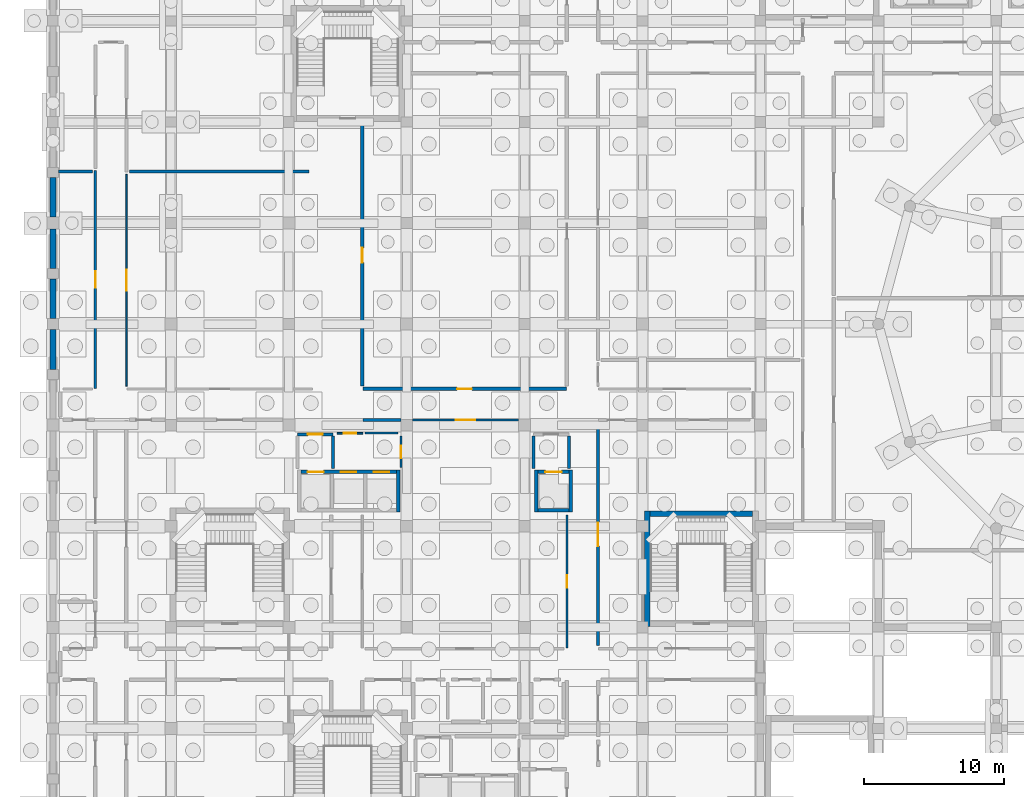
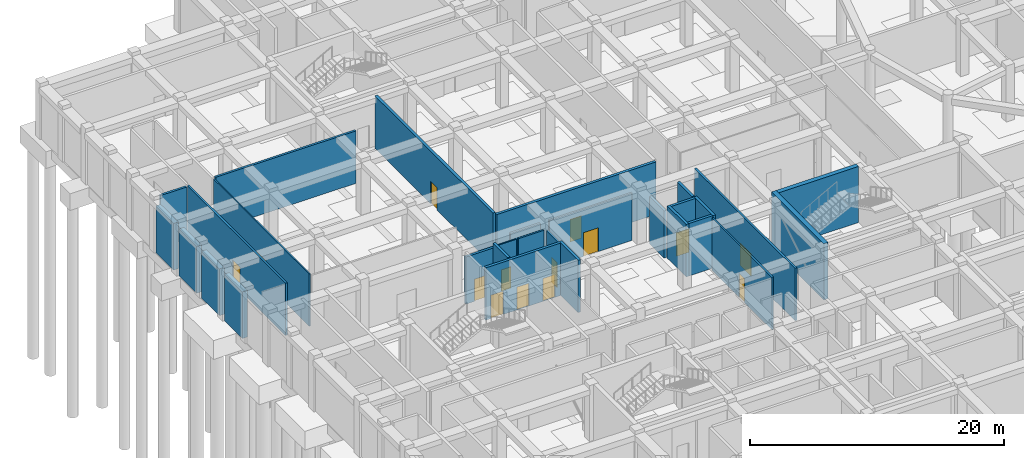
# One storey, part 18 of 32: 29 walls, 14 doors, 14 openings.
"""IFC4 building model written with IfcOpenShell, lengths in metres."""

from ifc_helpers import new_model, si_unit, derived_unit, direction, frame, frame_2d, origin, place, context, subcontext, project, spatial, rectangle, extrude, material, layer, layer_set, type_object, element, fill, save


model = new_model("IFC4")

# Units and contexts
model_context = context("Model", 3, precision=1e-05, world=origin(), true_north=direction((0.0, 1.0)))
body_context = subcontext(model_context, "Body", "Model", "MODEL_VIEW")
ifc_project = project(units=[si_unit("LENGTHUNIT", "METRE"), si_unit("AREAUNIT", "SQUARE_METRE"), si_unit("VOLUMEUNIT", "CUBIC_METRE"), si_unit("PLANEANGLEUNIT", "RADIAN"), si_unit("MASSUNIT", "GRAM", prefix="KILO"), derived_unit("THERMALTRANSMITTANCEUNIT", [(si_unit("POWERUNIT", "WATT"), 1), (si_unit("LENGTHUNIT", "METRE"), -2), (si_unit("THERMODYNAMICTEMPERATUREUNIT", "KELVIN"), -1)])], contexts=[model_context])

# Site, building, storey
site_placement = place(None, origin())
site = spatial("IfcSite", under=ifc_project, at=site_placement, CompositionType="ELEMENT")
building_placement = place(site_placement, origin())
building = spatial("IfcBuilding", under=site, at=building_placement, Name="Veybourne Emporium", CompositionType="ELEMENT")
storey_placement = place(building_placement, frame((0.0, 0.0, -5.39990234375)))
storey = spatial("IfcBuildingStorey", under=building, at=storey_placement, Name="B1", CompositionType="ELEMENT", Elevation=-5.39990234375)

# Walls
ifc_material_1 = material(Name="Concrete C40/50", Category="concrete")
ifc_layer_1 = layer(ifc_material_1, 0.449951171875)
ifc_layer_set_1 = layer_set([ifc_layer_1], Name="Concrete C40/50")
wall_type_1 = type_object("IfcWallType", Name="ExtWall_RW-01", PredefinedType="USERDEFINED", material=ifc_layer_set_1)
wall_1_placement = place(storey_placement, frame((0.0, 47.169921875, 0.0), z_axis=(0.0, 0.0, 1.0), x_axis=(0.0, 1.0, 0.0)))
element("IfcWall", 1, at=wall_1_placement, inside=storey, type_object=wall_type_1, Name="Basement perimeter retaining wall 006B", ObjectType="RETAININGWALL", PredefinedType="USERDEFINED", context=body_context, shape_type="SweptSolid", body=[
    extrude(rectangle(XDim=2.830078125, YDim=0.449951171875, at=frame_2d((1.4150390625, 0.0))), origin(), (0.0, 0.0, 1.0), 4.5),
])
wall_2_placement = place(storey_placement, frame((0.0, 50.800048828125, 0.0), z_axis=(0.0, 0.0, 1.0), x_axis=(0.0, 1.0, 0.0)))
element("IfcWall", 2, at=wall_2_placement, inside=storey, type_object=wall_type_1, Name="Basement perimeter retaining wall 007A", ObjectType="RETAININGWALL", PredefinedType="USERDEFINED", context=body_context, shape_type="SweptSolid", body=[
    extrude(rectangle(XDim=2.829833984375, YDim=0.449951171875, at=frame_2d((1.4150390625, 0.0))), origin(), (0.0, 0.0, 1.0), 4.5),
])
wall_3_placement = place(storey_placement, frame((0.0, 54.3701171875, 0.0), z_axis=(0.0, 0.0, 1.0), x_axis=(0.0, 1.0, 0.0)))
element("IfcWall", 3, at=wall_3_placement, inside=storey, type_object=wall_type_1, Name="Basement perimeter retaining wall 007B", ObjectType="RETAININGWALL", PredefinedType="USERDEFINED", context=body_context, shape_type="SweptSolid", body=[
    extrude(rectangle(XDim=2.804931640625, YDim=0.449951171875, at=frame_2d((1.40234375, 0.0))), origin(), (0.0, 0.0, 1.0), 4.5),
])
wall_4_placement = place(storey_placement, frame((0.0, 58.02490234375, 0.0), z_axis=(0.0, 0.0, 1.0), x_axis=(0.0, 1.0, 0.0)))
element("IfcWall", 4, at=wall_4_placement, inside=storey, type_object=wall_type_1, Name="Basement perimeter retaining wall 008A", ObjectType="RETAININGWALL", PredefinedType="USERDEFINED", context=body_context, shape_type="SweptSolid", body=[
    extrude(rectangle(XDim=2.80517578125, YDim=0.449951171875, at=frame_2d((1.402587890625, 0.0))), origin(), (0.0, 0.0, 1.0), 4.5),
])
ifc_layer_2 = layer(ifc_material_1, 0.39990234375)
ifc_layer_set_2 = layer_set([ifc_layer_2], Name="Concrete C40/50")
wall_type_2 = type_object("IfcWallType", Name="IntWall_CW-01", PredefinedType="SHEAR", material=ifc_layer_set_2)
wall_5_placement = place(storey_placement, frame((42.550048828125, 36.89990234375, 0.0), z_axis=(0.0, 0.0, 1.0), x_axis=(1.0, 0.0, 0.0)))
element("IfcWall", 5, at=wall_5_placement, inside=storey, type_object=wall_type_2, Name="Core stair ST-05 north shear wall (B1)", PredefinedType="SHEAR", context=body_context, shape_type="SweptSolid", body=[
    extrude(rectangle(XDim=7.300048828125, YDim=0.39990234375, at=frame_2d((3.64990234375, 0.0))), origin(), (0.0, 0.0, 1.0), 5.39990234375),
])
wall_6_placement = place(storey_placement, frame((42.35009765625, 37.10009765625, 0.0), z_axis=(0.0, 0.0, 1.0), x_axis=(0.0, -1.0, 0.0)))
element("IfcWall", 6, at=wall_6_placement, inside=storey, type_object=wall_type_2, Name="Core stair ST-05 west shear wall (B1)", PredefinedType="SHEAR", context=body_context, shape_type="SweptSolid", body=[
    extrude(rectangle(XDim=8.25, YDim=0.39990234375, at=frame_2d((4.125, 0.0))), origin(), (0.0, 0.0, 1.0), 5.39990234375),
])

# Wall, openings, doors
ifc_layer_3 = layer(ifc_material_1, 0.239990234375)
ifc_layer_set_3 = layer_set([ifc_layer_3], Name="Concrete C40/50")
wall_type_3 = type_object("IfcWallType", Name="IntWall_CW-04", PredefinedType="SHEAR", material=ifc_layer_set_3)
wall_7_placement = place(storey_placement, frame((24.47998046875, 39.8701171875, 0.0), z_axis=(0.0, 0.0, 1.0), x_axis=(-1.0, 0.0, 0.0)))
wall_7 = element("IfcWall", 7, at=wall_7_placement, inside=storey, type_object=wall_type_3, Name="Lift core C2 north shaft wall (B1)", PredefinedType="SHEAR", context=body_context, shape_type="SweptSolid", body=[
    extrude(rectangle(XDim=6.820068359375, YDim=0.239990234375, at=frame_2d((3.41015625, 0.0))), origin(), (0.0, 0.0, 1.0), 5.0498046875),
])
opening_1_placement = place(wall_7_placement, frame((5.195068359375, 0.0, 0.0)))
opening_1 = element("IfcOpeningElement", 8, at=opening_1_placement, cuts=wall_7, Name="Opening LD-02", PredefinedType="OPENING", context=body_context, shape_type="SweptSolid", body=[
    extrude(rectangle(XDim=1.14990234375, YDim=2.25, at=frame_2d((0.574951171875, 1.125))), frame((0.0, 0.14013671875, 0.0), z_axis=(0.0, -1.0, 0.0), x_axis=(1.0, 0.0, 0.0)), (0.0, 0.0, 1.0), 0.280029296875),
])
opening_2_placement = place(wall_7_placement, frame((2.8701171875, 0.0, 0.0)))
opening_2 = element("IfcOpeningElement", 9, at=opening_2_placement, cuts=wall_7, Name="Opening LD-01", PredefinedType="OPENING", context=body_context, shape_type="SweptSolid", body=[
    extrude(rectangle(XDim=1.10009765625, YDim=2.199951171875, at=frame_2d((0.550048828125, 1.10009765625))), frame((0.0, 0.14013671875, 0.0), z_axis=(0.0, -1.0, 0.0), x_axis=(1.0, 0.0, 0.0)), (0.0, 0.0, 1.0), 0.280029296875),
])
opening_3_placement = place(wall_7_placement, frame((0.510009765625, 0.0, 0.0)))
opening_3 = element("IfcOpeningElement", 10, at=opening_3_placement, cuts=wall_7, Name="Opening LD-01", PredefinedType="OPENING", context=body_context, shape_type="SweptSolid", body=[
    extrude(rectangle(XDim=1.10009765625, YDim=2.199951171875, at=frame_2d((0.550048828125, 1.10009765625))), frame((0.0, 0.14013671875, 0.0), z_axis=(0.0, -1.0, 0.0), x_axis=(1.0, 0.0, 0.0)), (0.0, 0.0, 1.0), 0.280029296875),
])
ifc_material_2 = material(Name="Patinated Architectural Bronze", Category="bronze")
door_type_1 = type_object("IfcDoorType", Name="FireDoor_LD-01", OperationType="DOUBLE_DOOR_SLIDING", PredefinedType="DOOR", material=ifc_material_2)
door_1_placement = place(opening_2_placement, origin())
door_1 = element("IfcDoor", 11, at=door_1_placement, inside=storey, type_object=door_type_1, Name="Lift PL-03 sliding landing door (B1)", OperationType="DOUBLE_DOOR_SLIDING", OverallHeight=2.199951171875, OverallWidth=1.10009765625, PredefinedType="DOOR", context=body_context, shape_type="SweptSolid", body=[
    extrude(rectangle(XDim=1.10009765625, YDim=2.199951171875, at=frame_2d((0.550048828125, 1.10009765625))), frame((0.0, 0.02490234375, 0.0), z_axis=(0.0, -1.0, 0.0), x_axis=(1.0, 0.0, 0.0)), (0.0, 0.0, 1.0), 0.050048828125),
])
fill(opening_2, door_1)
door_2_placement = place(opening_3_placement, origin())
door_2 = element("IfcDoor", 12, at=door_2_placement, inside=storey, type_object=door_type_1, Name="Lift PL-04 sliding landing door (B1)", OperationType="DOUBLE_DOOR_SLIDING", OverallHeight=2.199951171875, OverallWidth=1.10009765625, PredefinedType="DOOR", context=body_context, shape_type="SweptSolid", body=[
    extrude(rectangle(XDim=1.10009765625, YDim=2.199951171875, at=frame_2d((0.550048828125, 1.10009765625))), frame((0.0, 0.02490234375, 0.0), z_axis=(0.0, -1.0, 0.0), x_axis=(1.0, 0.0, 0.0)), (0.0, 0.0, 1.0), 0.050048828125),
])
fill(opening_3, door_2)
door_type_2 = type_object("IfcDoorType", Name="FireDoor_LD-02", OperationType="SLIDING_TO_LEFT", PredefinedType="DOOR", material=ifc_material_2)
door_3_placement = place(opening_1_placement, origin())
door_3 = element("IfcDoor", 13, at=door_3_placement, inside=storey, type_object=door_type_2, Name="Lift FFL-02 sliding landing door (B1)", OperationType="SLIDING_TO_LEFT", OverallHeight=2.25, OverallWidth=1.14990234375, PredefinedType="DOOR", context=body_context, shape_type="SweptSolid", body=[
    extrude(rectangle(XDim=1.14990234375, YDim=2.25, at=frame_2d((0.574951171875, 1.125))), frame((0.0, 0.02490234375, 0.0), z_axis=(0.0, -1.0, 0.0), x_axis=(1.0, 0.0, 0.0)), (0.0, 0.0, 1.0), 0.050048828125),
])
fill(opening_1, door_3)

# Wall
wall_8_placement = place(storey_placement, frame((24.60009765625, 37.010009765625, 0.0), z_axis=(0.0, 0.0, 1.0), x_axis=(0.0, 1.0, 0.0)))
element("IfcWall", 14, at=wall_8_placement, inside=storey, type_object=wall_type_3, Name="Lift core C2 east shaft wall (B1)", PredefinedType="SHEAR", context=body_context, shape_type="SweptSolid", body=[
    extrude(rectangle(XDim=2.97998046875, YDim=0.239990234375, at=frame_2d((1.489990234375, 0.0))), origin(), (0.0, 0.0, 1.0), 5.0498046875),
])

# Wall, opening, door
wall_9_placement = place(storey_placement, frame((36.760009765625, 39.8701171875, 0.0), z_axis=(0.0, 0.0, 1.0), x_axis=(-1.0, 0.0, 0.0)))
wall_9 = element("IfcWall", 15, at=wall_9_placement, inside=storey, type_object=wall_type_3, Name="Lift core C3 north shaft wall (B1)", PredefinedType="SHEAR", context=body_context, shape_type="SweptSolid", body=[
    extrude(rectangle(XDim=2.199951171875, YDim=0.239990234375, at=frame_2d((1.10009765625, 0.0))), origin(), (0.0, 0.0, 1.0), 5.0498046875),
])
opening_4_placement = place(wall_9_placement, frame((0.52490234375, 0.0, 0.0)))
opening_4 = element("IfcOpeningElement", 16, at=opening_4_placement, cuts=wall_9, Name="Opening LD-02", PredefinedType="OPENING", context=body_context, shape_type="SweptSolid", body=[
    extrude(rectangle(XDim=1.14990234375, YDim=2.25, at=frame_2d((0.574951171875, 1.125))), frame((0.0, 0.14013671875, 0.0), z_axis=(0.0, -1.0, 0.0), x_axis=(1.0, 0.0, 0.0)), (0.0, 0.0, 1.0), 0.280029296875),
])
door_4_placement = place(opening_4_placement, origin())
door_4 = element("IfcDoor", 17, at=door_4_placement, inside=storey, type_object=door_type_2, Name="Lift FFL-03 sliding landing door (B1)", OperationType="SLIDING_TO_LEFT", OverallHeight=2.25, OverallWidth=1.14990234375, PredefinedType="DOOR", context=body_context, shape_type="SweptSolid", body=[
    extrude(rectangle(XDim=1.14990234375, YDim=2.25, at=frame_2d((0.574951171875, 1.125))), frame((0.0, 0.02490234375, 0.0), z_axis=(0.0, -1.0, 0.0), x_axis=(1.0, 0.0, 0.0)), (0.0, 0.0, 1.0), 0.050048828125),
])
fill(opening_4, door_4)

# Walls
wall_10_placement = place(storey_placement, frame((34.56005859375, 37.1298828125, 0.0), z_axis=(0.0, 0.0, 1.0), x_axis=(1.0, 0.0, 0.0)))
element("IfcWall", 18, at=wall_10_placement, inside=storey, type_object=wall_type_3, Name="Lift core C3 south shaft wall (B1)", PredefinedType="SHEAR", context=body_context, shape_type="SweptSolid", body=[
    extrude(rectangle(XDim=2.199951171875, YDim=0.239990234375, at=frame_2d((1.10009765625, 0.0))), origin(), (0.0, 0.0, 1.0), 5.0498046875),
])
for number, where, z_axis, x_axis, name in (
    (19, (34.43994140625, 39.989990234375, 0.0), (0.0, 0.0, 1.0), (0.0, -1.0, 0.0), "Lift core C3 west shaft wall (B1)"),
    (20, (36.8798828125, 37.010009765625, 0.0), (0.0, 0.0, 1.0), (0.0, 1.0, 0.0), "Lift core C3 east shaft wall (B1)"),
):
    element("IfcWall", number, at=place(storey_placement, frame(where, z_axis=z_axis, x_axis=x_axis)), inside=storey, type_object=wall_type_3, Name=name, PredefinedType="SHEAR", context=body_context, shape_type="SweptSolid", body=[
        extrude(rectangle(XDim=2.97998046875, YDim=0.239990234375, at=frame_2d((1.489990234375, 0.0))), origin(), (0.0, 0.0, 1.0), 5.0498046875),
    ])

# Wall, opening, door
ifc_material_3 = material(Name="Concrete C32/40", Category="concrete")
ifc_layer_4 = layer(ifc_material_3, 0.25)
ifc_layer_set_4 = layer_set([ifc_layer_4], Name="Concrete C32/40")
wall_type_4 = type_object("IfcWallType", Name="IntWall_FW-01", PredefinedType="SOLIDWALL", material=ifc_layer_set_4)
wall_11_placement = place(storey_placement, frame((22.030029296875, 45.989990234375, 0.0), z_axis=(0.0, 0.0, 1.0), x_axis=(0.0, 1.0, 0.0)))
wall_11 = element("IfcWall", 21, at=wall_11_placement, inside=storey, type_object=wall_type_4, Name="B1 interior partition FW-01 #004", PredefinedType="SOLIDWALL", context=body_context, shape_type="SweptSolid", body=[
    extrude(rectangle(XDim=18.621337890625, YDim=0.25, at=frame_2d((9.310546875, 0.0))), origin(), (0.0, 0.0, 1.0), 5.0498046875),
])
opening_5_placement = place(wall_11_placement, frame((8.78564453125, 0.0, 0.0)))
opening_5 = element("IfcOpeningElement", 22, at=opening_5_placement, cuts=wall_11, Name="Opening FD-02", PredefinedType="OPENING", context=body_context, shape_type="SweptSolid", body=[
    extrude(rectangle(XDim=1.050048828125, YDim=2.14990234375, at=frame_2d((0.52490234375, 1.074951171875))), frame((0.0, 0.14501953125, 0.0), z_axis=(0.0, -1.0, 0.0), x_axis=(1.0, 0.0, 0.0)), (0.0, 0.0, 1.0), 0.2900390625),
])
door_type_3 = type_object("IfcDoorType", Name="FireDoor_FD-02", OperationType="NOTDEFINED", PredefinedType="DOOR", material=ifc_material_2)
door_5_placement = place(opening_5_placement, origin())
door_5 = element("IfcDoor", 23, at=door_5_placement, inside=storey, type_object=door_type_3, Name="B1 interior door FD-02 (PART-B1-004)", OperationType="SINGLE_SWING_RIGHT", OverallHeight=2.14990234375, OverallWidth=1.050048828125, PredefinedType="DOOR", context=body_context, shape_type="SweptSolid", body=[
    extrude(rectangle(XDim=1.050048828125, YDim=2.14990234375, at=frame_2d((0.52490234375, 1.074951171875))), frame((0.0, 0.02490234375, 0.0), z_axis=(0.0, -1.0, 0.0), x_axis=(1.0, 0.0, 0.0)), (0.0, 0.0, 1.0), 0.050048828125),
])
fill(opening_5, door_5)

wall_12_placement = place(storey_placement, frame((22.080078125, 45.780029296875, 0.0), z_axis=(0.0, 0.0, 1.0), x_axis=(1.0, 0.0, 0.0)))
wall_12 = element("IfcWall", 24, at=wall_12_placement, inside=storey, type_object=wall_type_4, Name="B1 interior partition FW-01 #023", PredefinedType="SOLIDWALL", context=body_context, shape_type="SweptSolid", body=[
    extrude(rectangle(XDim=14.489990234375, YDim=0.25, at=frame_2d((7.2451171875, 0.0))), origin(), (0.0, 0.0, 1.0), 5.0498046875),
])
opening_6_placement = place(wall_12_placement, frame((6.719970703125, 0.0, 0.0)))
opening_6 = element("IfcOpeningElement", 25, at=opening_6_placement, cuts=wall_12, Name="Opening FD-02", PredefinedType="OPENING", context=body_context, shape_type="SweptSolid", body=[
    extrude(rectangle(XDim=1.050048828125, YDim=2.14990234375, at=frame_2d((0.52490234375, 1.074951171875))), frame((0.0, 0.14501953125, 0.0), z_axis=(0.0, -1.0, 0.0), x_axis=(1.0, 0.0, 0.0)), (0.0, 0.0, 1.0), 0.2900390625),
])
door_6_placement = place(opening_6_placement, origin())
door_6 = element("IfcDoor", 26, at=door_6_placement, inside=storey, type_object=door_type_3, Name="B1 interior door FD-02 (PART-B1-023)", OperationType="SINGLE_SWING_LEFT", OverallHeight=2.14990234375, OverallWidth=1.050048828125, PredefinedType="DOOR", context=body_context, shape_type="SweptSolid", body=[
    extrude(rectangle(XDim=1.050048828125, YDim=2.14990234375, at=frame_2d((0.52490234375, 1.074951171875))), frame((0.0, 0.02490234375, 0.0), z_axis=(0.0, -1.0, 0.0), x_axis=(1.0, 0.0, 0.0)), (0.0, 0.0, 1.0), 0.050048828125),
])
fill(opening_6, door_6)

ifc_layer_5 = layer(ifc_material_3, 0.219970703125)
ifc_layer_set_5 = layer_set([ifc_layer_5], Name="Concrete C32/40")
wall_type_5 = type_object("IfcWallType", Name="IntWall_FW-02", PredefinedType="SOLIDWALL", material=ifc_layer_set_5)
wall_13_placement = place(storey_placement, frame((17.419921875, 42.550048828125, 0.0), z_axis=(0.0, 0.0, 1.0), x_axis=(1.0, 0.0, 0.0)))
wall_13 = element("IfcWall", 27, at=wall_13_placement, inside=storey, type_object=wall_type_5, Name="Firefighting lobby C2 fire wall N (B1)", PredefinedType="SOLIDWALL", context=body_context, shape_type="SweptSolid", body=[
    extrude(rectangle(XDim=2.5400390625, YDim=0.219970703125, at=frame_2d((1.27001953125, 0.0))), origin(), (0.0, 0.0, 1.0), 4.5498046875),
])
opening_7_placement = place(wall_13_placement, frame((0.7451171875, 0.0, 0.0)))
opening_7 = element("IfcOpeningElement", 28, at=opening_7_placement, cuts=wall_13, Name="Opening FD-02", PredefinedType="OPENING", context=body_context, shape_type="SweptSolid", body=[
    extrude(rectangle(XDim=1.050048828125, YDim=2.14990234375, at=frame_2d((0.52490234375, 1.074951171875))), frame((0.0, 0.1298828125, 0.0), z_axis=(0.0, -1.0, 0.0), x_axis=(1.0, 0.0, 0.0)), (0.0, 0.0, 1.0), 0.260009765625),
])
door_7_placement = place(opening_7_placement, origin())
door_7 = element("IfcDoor", 29, at=door_7_placement, inside=storey, type_object=door_type_3, Name="Firefighting lobby C2 FD60S door N (B1)", OperationType="SINGLE_SWING_LEFT", OverallHeight=2.14990234375, OverallWidth=1.050048828125, PredefinedType="DOOR", context=body_context, shape_type="SweptSolid", body=[
    extrude(rectangle(XDim=1.050048828125, YDim=2.14990234375, at=frame_2d((0.52490234375, 1.074951171875))), frame((0.0, 0.02490234375, 0.0), z_axis=(0.0, -1.0, 0.0), x_axis=(1.0, 0.0, 0.0)), (0.0, 0.0, 1.0), 0.050048828125),
])
fill(opening_7, door_7)

# Walls
wall_14_placement = place(storey_placement, frame((19.9599609375, 40.110107421875, 0.0), z_axis=(0.0, 0.0, 1.0), x_axis=(0.0, 1.0, 0.0)))
element("IfcWall", 30, at=wall_14_placement, inside=storey, type_object=wall_type_5, Name="Firefighting lobby C2 fire wall E (B1)", PredefinedType="SOLIDWALL", context=body_context, shape_type="SweptSolid", body=[
    extrude(rectangle(XDim=2.31982421875, YDim=0.219970703125, at=frame_2d((1.159912109375, 0.0))), origin(), (0.0, 0.0, 1.0), 5.0498046875),
])
wall_15_placement = place(storey_placement, frame((34.219970703125, 40.110107421875, 0.0), z_axis=(0.0, 0.0, 1.0), x_axis=(0.0, 1.0, 0.0)))
element("IfcWall", 31, at=wall_15_placement, inside=storey, type_object=wall_type_5, Name="Firefighting lobby C3 fire wall W (B1)", PredefinedType="SOLIDWALL", context=body_context, shape_type="SweptSolid", body=[
    extrude(rectangle(XDim=2.31982421875, YDim=0.219970703125, at=frame_2d((1.159912109375, 0.0))), origin(), (0.0, 0.0, 1.0), 4.5498046875),
])
wall_16_placement = place(storey_placement, frame((36.760009765625, 40.110107421875, 0.0), z_axis=(0.0, 0.0, 1.0), x_axis=(0.0, 1.0, 0.0)))
element("IfcWall", 32, at=wall_16_placement, inside=storey, type_object=wall_type_5, Name="Firefighting lobby C3 fire wall E (B1)", PredefinedType="SOLIDWALL", context=body_context, shape_type="SweptSolid", body=[
    extrude(rectangle(XDim=2.31982421875, YDim=0.219970703125, at=frame_2d((1.159912109375, 0.0))), origin(), (0.0, 0.0, 1.0), 5.0498046875),
])

# Wall, opening, door
ifc_material_4 = material(Name="Gypsum Acoustic Board", Category="gypsum")
ifc_layer_6 = layer(ifc_material_4, 0.179931640625)
ifc_layer_set_6 = layer_set([ifc_layer_6], Name="Gypsum Acoustic Board")
wall_type_6 = type_object("IfcWallType", Name="IntWall_IW-01", PredefinedType="PARTITIONING", material=ifc_layer_set_6)
wall_17_placement = place(storey_placement, frame((38.830078125, 27.489990234375, 0.0), z_axis=(0.0, 0.0, 1.0), x_axis=(0.0, 1.0, 0.0)))
wall_17 = element("IfcWall", 33, at=wall_17_placement, inside=storey, type_object=wall_type_6, Name="B1 interior partition IW-01 #012", PredefinedType="PARTITIONING", context=body_context, shape_type="SweptSolid", body=[
    extrude(rectangle(XDim=15.8701171875, YDim=0.179931640625, at=frame_2d((7.93505859375, 0.0))), origin(), (0.0, 0.0, 1.0), 5.0498046875),
])
opening_8_placement = place(wall_17_placement, frame((7.094970703125, 0.0, 0.0)))
opening_8 = element("IfcOpeningElement", 34, at=opening_8_placement, cuts=wall_17, Name="Opening D-12", PredefinedType="OPENING", context=body_context, shape_type="SweptSolid", body=[
    extrude(rectangle(XDim=1.679931640625, YDim=2.1298828125, at=frame_2d((0.83984375, 1.06494140625))), frame((0.0, 0.10986328125, 0.0), z_axis=(0.0, -1.0, 0.0), x_axis=(1.0, 0.0, 0.0)), (0.0, 0.0, 1.0), 0.219970703125),
])
ifc_material_5 = material(Name="European Oak Veneer and Bronze", Category="wood")
door_type_4 = type_object("IfcDoorType", Name="IntDoor_D-12", OperationType="DOUBLE_DOOR_SINGLE_SWING", PredefinedType="DOOR", material=ifc_material_5)
door_8_placement = place(opening_8_placement, origin())
door_8 = element("IfcDoor", 35, at=door_8_placement, inside=storey, type_object=door_type_4, Name="B1 interior door D-12 (PART-B1-012)", OperationType="DOUBLE_DOOR_SINGLE_SWING", OverallHeight=2.1298828125, OverallWidth=1.679931640625, PredefinedType="DOOR", context=body_context, shape_type="SweptSolid", body=[
    extrude(rectangle(XDim=1.679931640625, YDim=2.1298828125, at=frame_2d((0.83984375, 1.06494140625))), frame((0.0, 0.02490234375, 0.0), z_axis=(0.0, -1.0, 0.0), x_axis=(1.0, 0.0, 0.0)), (0.0, 0.0, 1.0), 0.050048828125),
])
fill(opening_8, door_8)

wall_18_placement = place(storey_placement, frame((3.02001953125, 45.830078125, 0.0), z_axis=(0.0, 0.0, 1.0), x_axis=(0.0, 1.0, 0.0)))
wall_18 = element("IfcWall", 36, at=wall_18_placement, inside=storey, type_object=wall_type_6, Name="B1 interior partition IW-01 #015", PredefinedType="PARTITIONING", context=body_context, shape_type="SweptSolid", body=[
    extrude(rectangle(XDim=15.5, YDim=0.179931640625, at=frame_2d((7.75, 0.0))), origin(), (0.0, 0.0, 1.0), 5.0498046875),
])
opening_9_placement = place(wall_18_placement, frame((7.14990234375, 0.0, 0.0)))
opening_9 = element("IfcOpeningElement", 37, at=opening_9_placement, cuts=wall_18, Name="Opening D-15", PredefinedType="OPENING", context=body_context, shape_type="SweptSolid", body=[
    extrude(rectangle(XDim=1.199951171875, YDim=2.2099609375, at=frame_2d((0.60009765625, 1.10498046875))), frame((0.0, 0.10986328125, 0.0), z_axis=(0.0, -1.0, 0.0), x_axis=(1.0, 0.0, 0.0)), (0.0, 0.0, 1.0), 0.219970703125),
])
door_type_5 = type_object("IfcDoorType", Name="IntDoor_D-15", OperationType="NOTDEFINED", PredefinedType="DOOR", material=ifc_material_5)
door_9_placement = place(opening_9_placement, origin())
door_9 = element("IfcDoor", 38, at=door_9_placement, inside=storey, type_object=door_type_5, Name="B1 interior door D-15 (PART-B1-015)", OperationType="SINGLE_SWING_LEFT", OverallHeight=2.2099609375, OverallWidth=1.199951171875, PredefinedType="DOOR", context=body_context, shape_type="SweptSolid", body=[
    extrude(rectangle(XDim=1.199951171875, YDim=2.2099609375, at=frame_2d((0.60009765625, 1.10498046875))), frame((0.0, 0.02490234375, 0.0), z_axis=(0.0, -1.0, 0.0), x_axis=(1.0, 0.0, 0.0)), (0.0, 0.0, 1.0), 0.050048828125),
])
fill(opening_9, door_9)

# Wall
wall_19_placement = place(storey_placement, frame((22.080078125, 43.570068359375, 0.0), z_axis=(0.0, 0.0, 1.0), x_axis=(1.0, 0.0, 0.0)))
element("IfcWall", 39, at=wall_19_placement, inside=storey, type_object=wall_type_6, Name="B1 interior partition IW-01 #021", PredefinedType="PARTITIONING", context=body_context, shape_type="SweptSolid", body=[
    extrude(rectangle(XDim=2.699951171875, YDim=0.179931640625, at=frame_2d((1.35009765625, 0.0))), origin(), (0.0, 0.0, 1.0), 4.5498046875),
])

# Wall, opening, door
ifc_layer_7 = layer(ifc_material_4, 0.14990234375)
ifc_layer_set_7 = layer_set([ifc_layer_7], Name="Gypsum Acoustic Board")
wall_type_7 = type_object("IfcWallType", Name="IntWall_IW-02", PredefinedType="PARTITIONING", material=ifc_layer_set_7)
wall_20_placement = place(storey_placement, frame((25.6201171875, 43.570068359375, 0.0), z_axis=(0.0, 0.0, 1.0), x_axis=(1.0, 0.0, 0.0)))
wall_20 = element("IfcWall", 40, at=wall_20_placement, inside=storey, type_object=wall_type_7, Name="B1 interior partition IW-02 #022", PredefinedType="PARTITIONING", context=body_context, shape_type="SweptSolid", body=[
    extrude(rectangle(XDim=7.534912109375, YDim=0.14990234375, at=frame_2d((3.767578125, 0.0))), origin(), (0.0, 0.0, 1.0), 4.5498046875),
])
opening_10_placement = place(wall_20_placement, frame((3.08740234375, 0.0, 0.0)))
opening_10 = element("IfcOpeningElement", 41, at=opening_10_placement, cuts=wall_20, Name="Opening D-22", PredefinedType="OPENING", context=body_context, shape_type="SweptSolid", body=[
    extrude(rectangle(XDim=1.360107421875, YDim=2.2900390625, at=frame_2d((0.68017578125, 1.14501953125))), frame((0.0, 0.094970703125, 0.0), z_axis=(0.0, -1.0, 0.0), x_axis=(1.0, 0.0, 0.0)), (0.0, 0.0, 1.0), 0.18994140625),
])
door_type_6 = type_object("IfcDoorType", Name="IntDoor_D-22", OperationType="NOTDEFINED", PredefinedType="DOOR", material=ifc_material_5)
door_10_placement = place(opening_10_placement, origin())
door_10 = element("IfcDoor", 42, at=door_10_placement, inside=storey, type_object=door_type_6, Name="B1 interior door D-22 (PART-B1-022)", OperationType="SINGLE_SWING_RIGHT", OverallHeight=2.2900390625, OverallWidth=1.360107421875, PredefinedType="DOOR", context=body_context, shape_type="SweptSolid", body=[
    extrude(rectangle(XDim=1.360107421875, YDim=2.2900390625, at=frame_2d((0.68017578125, 1.14501953125))), frame((0.0, 0.02490234375, 0.0), z_axis=(0.0, -1.0, 0.0), x_axis=(1.0, 0.0, 0.0)), (0.0, 0.0, 1.0), 0.050048828125),
])
fill(opening_10, door_10)

wall_21_placement = place(storey_placement, frame((36.6201171875, 27.330078125, 0.0), z_axis=(0.0, 0.0, 1.0), x_axis=(0.0, 1.0, 0.0)))
wall_21 = element("IfcWall", 43, at=wall_21_placement, inside=storey, type_object=wall_type_7, Name="B1 interior partition IW-02 #055", PredefinedType="PARTITIONING", context=body_context, shape_type="SweptSolid", body=[
    extrude(rectangle(XDim=9.469970703125, YDim=0.14990234375, at=frame_2d((4.73486328125, 0.0))), origin(), (0.0, 0.0, 1.0), 5.0498046875),
])
opening_11_placement = place(wall_21_placement, frame((4.294921875, 0.0, 0.0)))
opening_11 = element("IfcOpeningElement", 44, at=opening_11_placement, cuts=wall_21, Name="Opening D-19", PredefinedType="OPENING", context=body_context, shape_type="SweptSolid", body=[
    extrude(rectangle(XDim=0.8798828125, YDim=2.2900390625, at=frame_2d((0.43994140625, 1.14501953125))), frame((0.0, 0.094970703125, 0.0), z_axis=(0.0, -1.0, 0.0), x_axis=(1.0, 0.0, 0.0)), (0.0, 0.0, 1.0), 0.18994140625),
])
door_type_7 = type_object("IfcDoorType", Name="IntDoor_D-19", OperationType="NOTDEFINED", PredefinedType="DOOR", material=ifc_material_5)
door_11_placement = place(opening_11_placement, origin())
door_11 = element("IfcDoor", 45, at=door_11_placement, inside=storey, type_object=door_type_7, Name="B1 interior door D-19 (PART-B1-055)", OperationType="SINGLE_SWING_LEFT", OverallHeight=2.2900390625, OverallWidth=0.8798828125, PredefinedType="DOOR", context=body_context, shape_type="SweptSolid", body=[
    extrude(rectangle(XDim=0.8798828125, YDim=2.2900390625, at=frame_2d((0.43994140625, 1.14501953125))), frame((0.0, 0.02490234375, 0.0), z_axis=(0.0, -1.0, 0.0), x_axis=(1.0, 0.0, 0.0)), (0.0, 0.0, 1.0), 0.050048828125),
])
fill(opening_11, door_11)

# Wall
wall_22_placement = place(storey_placement, frame((22.239990234375, 42.6298828125, 0.0), z_axis=(0.0, 0.0, 1.0), x_axis=(1.0, 0.0, 0.0)))
element("IfcWall", 46, at=wall_22_placement, inside=storey, type_object=wall_type_7, Name="B1 interior partition IW-02 #094", PredefinedType="PARTITIONING", context=body_context, shape_type="SweptSolid", body=[
    extrude(rectangle(XDim=2.35009765625, YDim=0.14990234375, at=frame_2d((1.175048828125, 0.0))), origin(), (0.0, 0.0, 1.0), 4.5498046875),
])

# Wall, opening, door
wall_23_placement = place(storey_placement, frame((24.800048828125, 40.177978515625, 0.0), z_axis=(0.0, 0.0, 1.0), x_axis=(0.0, 1.0, 0.0)))
wall_23 = element("IfcWall", 47, at=wall_23_placement, inside=storey, type_object=wall_type_7, Name="B1 interior partition IW-02 #097", PredefinedType="PARTITIONING", context=body_context, shape_type="SweptSolid", body=[
    extrude(rectangle(XDim=2.241943359375, YDim=0.14990234375, at=frame_2d((1.12109375, 0.0))), origin(), (0.0, 0.0, 1.0), 4.5498046875),
])
opening_12_placement = place(wall_23_placement, frame((0.680908203125, 0.0, 0.0)))
opening_12 = element("IfcOpeningElement", 48, at=opening_12_placement, cuts=wall_23, Name="Opening D-25", PredefinedType="OPENING", context=body_context, shape_type="SweptSolid", body=[
    extrude(rectangle(XDim=0.8798828125, YDim=2.3701171875, at=frame_2d((0.43994140625, 1.18505859375))), frame((0.0, 0.094970703125, 0.0), z_axis=(0.0, -1.0, 0.0), x_axis=(1.0, 0.0, 0.0)), (0.0, 0.0, 1.0), 0.18994140625),
])
door_type_8 = type_object("IfcDoorType", Name="IntDoor_D-25", OperationType="NOTDEFINED", PredefinedType="DOOR", material=ifc_material_5)
door_12_placement = place(opening_12_placement, origin())
door_12 = element("IfcDoor", 49, at=door_12_placement, inside=storey, type_object=door_type_8, Name="B1 interior door D-25 (PART-B1-097)", OperationType="SINGLE_SWING_RIGHT", OverallHeight=2.3701171875, OverallWidth=0.8798828125, PredefinedType="DOOR", context=body_context, shape_type="SweptSolid", body=[
    extrude(rectangle(XDim=0.8798828125, YDim=2.3701171875, at=frame_2d((0.43994140625, 1.18505859375))), frame((0.0, 0.02490234375, 0.0), z_axis=(0.0, -1.0, 0.0), x_axis=(1.0, 0.0, 0.0)), (0.0, 0.0, 1.0), 0.050048828125),
])
fill(opening_12, door_12)

ifc_layer_8 = layer(ifc_material_4, 0.1201171875)
ifc_layer_set_8 = layer_set([ifc_layer_8], Name="Gypsum Acoustic Board")
wall_type_8 = type_object("IfcWallType", Name="IntWall_IW-03", PredefinedType="PARTITIONING", material=ifc_layer_set_8)
wall_24_placement = place(storey_placement, frame((5.22998046875, 45.989990234375, 0.0), z_axis=(0.0, 0.0, 1.0), x_axis=(0.0, 1.0, 0.0)))
wall_24 = element("IfcWall", 50, at=wall_24_placement, inside=storey, type_object=wall_type_8, Name="B1 interior partition IW-03 #017", PredefinedType="PARTITIONING", context=body_context, shape_type="SweptSolid", body=[
    extrude(rectangle(XDim=15.080078125, YDim=0.1201171875, at=frame_2d((7.5400390625, 0.0))), origin(), (0.0, 0.0, 1.0), 5.0498046875),
])
opening_13_placement = place(wall_24_placement, frame((6.780029296875, 0.0, 0.0)))
opening_13 = element("IfcOpeningElement", 51, at=opening_13_placement, cuts=wall_24, Name="Opening D-17", PredefinedType="OPENING", context=body_context, shape_type="SweptSolid", body=[
    extrude(rectangle(XDim=1.52001953125, YDim=2.2099609375, at=frame_2d((0.760009765625, 1.10498046875))), frame((0.0, 0.080078125, 0.0), z_axis=(0.0, -1.0, 0.0), x_axis=(1.0, 0.0, 0.0)), (0.0, 0.0, 1.0), 0.16015625),
])
door_type_9 = type_object("IfcDoorType", Name="IntDoor_D-17", OperationType="NOTDEFINED", PredefinedType="DOOR", material=ifc_material_5)
door_13_placement = place(opening_13_placement, origin())
door_13 = element("IfcDoor", 52, at=door_13_placement, inside=storey, type_object=door_type_9, Name="B1 interior door D-17 (PART-B1-017)", OperationType="SINGLE_SWING_LEFT", OverallHeight=2.2099609375, OverallWidth=1.52001953125, PredefinedType="DOOR", context=body_context, shape_type="SweptSolid", body=[
    extrude(rectangle(XDim=1.52001953125, YDim=2.2099609375, at=frame_2d((0.760009765625, 1.10498046875))), frame((0.0, 0.02490234375, 0.0), z_axis=(0.0, -1.0, 0.0), x_axis=(1.0, 0.0, 0.0)), (0.0, 0.0, 1.0), 0.050048828125),
])
fill(opening_13, door_13)

wall_25_placement = place(storey_placement, frame((20.25, 42.6298828125, 0.0), z_axis=(0.0, 0.0, 1.0), x_axis=(1.0, 0.0, 0.0)))
wall_25 = element("IfcWall", 53, at=wall_25_placement, inside=storey, type_object=wall_type_8, Name="B1 interior partition IW-03 #119", PredefinedType="PARTITIONING", context=body_context, shape_type="SweptSolid", body=[
    extrude(rectangle(XDim=1.830078125, YDim=0.1201171875, at=frame_2d((0.9150390625, 0.0))), origin(), (0.0, 0.0, 1.0), 4.5498046875),
])
opening_14_placement = place(wall_25_placement, frame((0.47509765625, 0.0, 0.0)))
opening_14 = element("IfcOpeningElement", 54, at=opening_14_placement, cuts=wall_25, Name="Opening D-01", PredefinedType="OPENING", context=body_context, shape_type="SweptSolid", body=[
    extrude(rectangle(XDim=0.8798828125, YDim=2.050048828125, at=frame_2d((0.43994140625, 1.02490234375))), frame((0.0, 0.080078125, 0.0), z_axis=(0.0, -1.0, 0.0), x_axis=(1.0, 0.0, 0.0)), (0.0, 0.0, 1.0), 0.16015625),
])
door_type_10 = type_object("IfcDoorType", Name="IntDoor_D-01", OperationType="NOTDEFINED", PredefinedType="DOOR", material=ifc_material_5)
door_14_placement = place(opening_14_placement, origin())
door_14 = element("IfcDoor", 55, at=door_14_placement, inside=storey, type_object=door_type_10, Name="B1 interior door D-01 (PART-B1-119)", OperationType="SINGLE_SWING_LEFT", OverallHeight=2.050048828125, OverallWidth=0.8798828125, PredefinedType="DOOR", context=body_context, shape_type="SweptSolid", body=[
    extrude(rectangle(XDim=0.8798828125, YDim=2.050048828125, at=frame_2d((0.43994140625, 1.02490234375))), frame((0.0, 0.02490234375, 0.0), z_axis=(0.0, -1.0, 0.0), x_axis=(1.0, 0.0, 0.0)), (0.0, 0.0, 1.0), 0.050048828125),
])
fill(opening_14, door_14)

# Walls
ifc_layer_9 = layer(ifc_material_4, 0.199951171875)
ifc_layer_set_9 = layer_set([ifc_layer_9], Name="Gypsum Acoustic Board")
wall_type_9 = type_object("IfcWallType", Name="IntWall_IW-04", PredefinedType="PLUMBINGWALL", material=ifc_layer_set_9)
wall_26_placement = place(storey_placement, frame((5.43994140625, 61.280029296875, 0.0), z_axis=(0.0, 0.0, 1.0), x_axis=(1.0, 0.0, 0.0)))
element("IfcWall", 56, at=wall_26_placement, inside=storey, type_object=wall_type_9, Name="B1 interior partition IW-04 #155", PredefinedType="PLUMBINGWALL", context=body_context, shape_type="SweptSolid", body=[
    extrude(rectangle(XDim=12.7900390625, YDim=0.199951171875, at=frame_2d((6.39501953125, 0.0))), origin(), (0.0, 0.0, 1.0), 5.0498046875),
])
wall_27_placement = place(storey_placement, frame((0.409912109375, 61.280029296875, 0.0), z_axis=(0.0, 0.0, 1.0), x_axis=(1.0, 0.0, 0.0)))
element("IfcWall", 57, at=wall_27_placement, inside=storey, type_object=wall_type_9, Name="B1 interior partition IW-04 #187", PredefinedType="PLUMBINGWALL", context=body_context, shape_type="SweptSolid", body=[
    extrude(rectangle(XDim=2.400146484375, YDim=0.199951171875, at=frame_2d((1.2001953125, 0.0))), origin(), (0.0, 0.0, 1.0), 5.0498046875),
])

save(model, "model.ifc")
